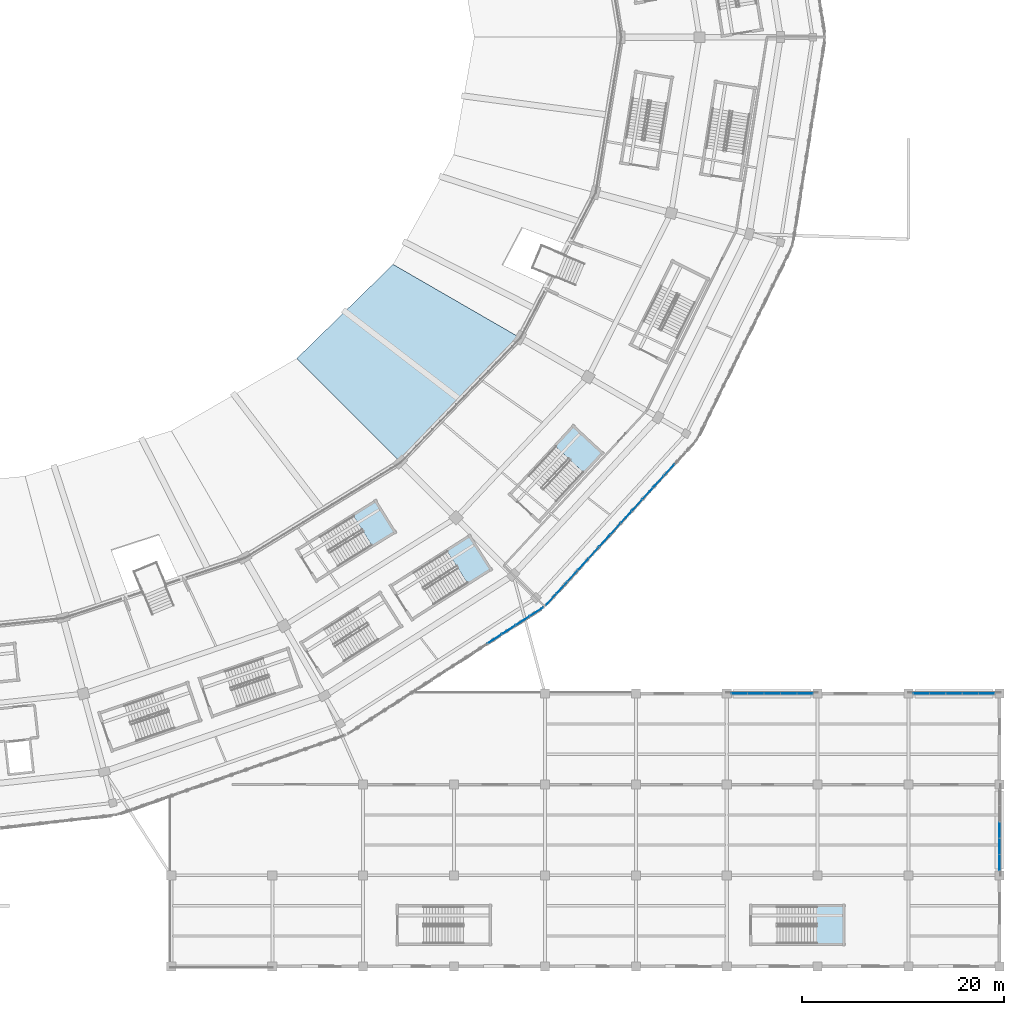
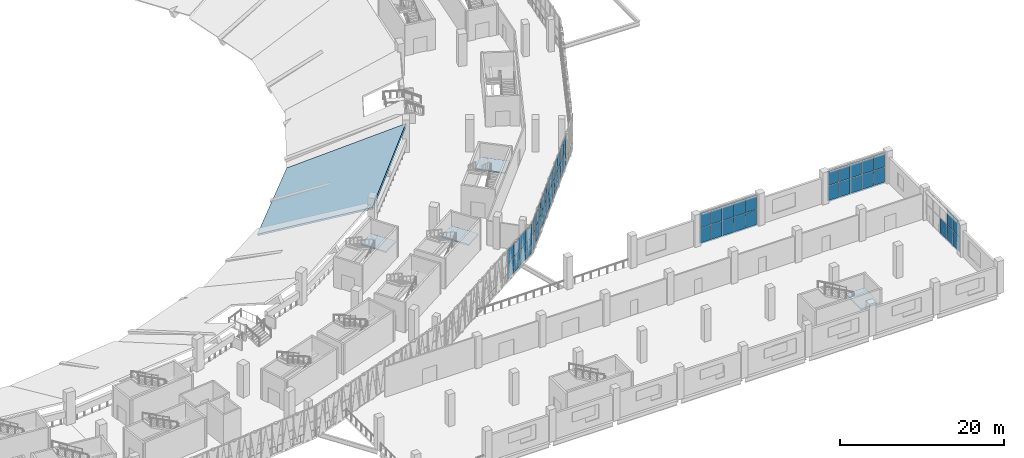
# One storey, part 82 of 183: 57 plates, 5 slabs, 9 elements without a shape of their own.
"""IFC4 building model written with IfcOpenShell, lengths in metres."""

from ifc_helpers import new_model, si_unit, direction, frame, origin, origin_2d, place, context, subcontext, project, spatial, polyline, rectangle, outline, extrude, material, layer, layer_set, type_object, element, aggregate, save


model = new_model("IFC4")

# Units and contexts
model_context = context("Model", 3, precision=1e-05, world=origin(), true_north=direction((0.0, 1.0)))
body_context = subcontext(model_context, "Body", "Model", "MODEL_VIEW")
ifc_project = project(units=[si_unit("LENGTHUNIT", "METRE"), si_unit("AREAUNIT", "SQUARE_METRE"), si_unit("VOLUMEUNIT", "CUBIC_METRE"), si_unit("PLANEANGLEUNIT", "RADIAN"), si_unit("MASSUNIT", "GRAM", prefix="KILO")], contexts=[model_context])

# Site, building, storey
site_placement = place(None, origin())
site = spatial("IfcSite", under=ifc_project, at=site_placement, CompositionType="ELEMENT")
building_placement = place(site_placement, origin())
building = spatial("IfcBuilding", under=site, at=building_placement, Name="Zevraka Park Crest Stadium", CompositionType="ELEMENT")
storey_placement = place(building_placement, frame((0.0, 0.0, 5.39990234375)))
storey = spatial("IfcBuildingStorey", under=building, at=storey_placement, Name="L01", CompositionType="ELEMENT", Elevation=5.39990234375)

# Curtain wall, plates
ifc_material_1 = material(Name="Anodised architectural aluminium and laminated safety glass", Category="aluminium")
curtain_wall_type_1 = type_object("IfcCurtainWallType", Name="CW03", PredefinedType="NOTDEFINED", material=ifc_material_1)
curtain_wall_1_placement = place(storey_placement, origin())
curtain_wall_1 = element("IfcCurtainWall", 1, at=curtain_wall_1_placement, inside=storey, type_object=curtain_wall_type_1, Name="Unitised Ring Curtain Wall CW03 L01-20", PredefinedType="NOTDEFINED")
ifc_material_2 = material(Name="Solar-control laminated double glazing", Category="glass")
ifc_layer_1 = layer(ifc_material_2, 0.028076171875)
ifc_layer_set_1 = layer_set([ifc_layer_1], Name="Solar-control laminated double glazing")
plate_type_1 = type_object("IfcPlateType", Name="CP03", PredefinedType="CURTAIN_PANEL", material=ifc_layer_set_1)
plate_1_placement = place(storey_placement, frame((174.023193359375, 32.431396484375, 0.070068359375), z_axis=(0.0, 0.0, 1.0), x_axis=(0.840010186018, 0.542570628938, 0.0)))
plate_1 = element("IfcPlate", 2, at=plate_1_placement, type_object=plate_type_1, Name="CW03 panel 11.1", PredefinedType="CURTAIN_PANEL", context=body_context, shape_type="SweptSolid", body=[
    extrude(rectangle(XDim=1.57958984375, YDim=0.028076171875, at=origin_2d()), origin(), (0.0, 0.0, 1.0), 2.294921875),
])
plate_2_placement = place(storey_placement, frame((174.023193359375, 32.431396484375, 2.43505859375), z_axis=(0.0, 0.0, 1.0), x_axis=(0.840010186018, 0.542570628938, 0.0)))
plate_2 = element("IfcPlate", 3, at=plate_2_placement, type_object=plate_type_1, Name="CW03 panel 11.2", PredefinedType="CURTAIN_PANEL", context=body_context, shape_type="SweptSolid", body=[
    extrude(rectangle(XDim=1.57958984375, YDim=0.028076171875, at=origin_2d()), origin(), (0.0, 0.0, 1.0), 2.014892578125),
])
plate_3_placement = place(storey_placement, frame((175.408935546875, 33.326416015625, 0.070068359375), z_axis=(0.0, 0.0, 1.0), x_axis=(0.840010186018, 0.542570628938, 0.0)))
plate_3 = element("IfcPlate", 4, at=plate_3_placement, type_object=plate_type_1, Name="CW03 panel 12.1", PredefinedType="CURTAIN_PANEL", context=body_context, shape_type="SweptSolid", body=[
    extrude(rectangle(XDim=1.57958984375, YDim=0.028076171875, at=origin_2d()), origin(), (0.0, 0.0, 1.0), 2.294921875),
])
plate_4_placement = place(storey_placement, frame((175.408935546875, 33.326416015625, 2.43505859375), z_axis=(0.0, 0.0, 1.0), x_axis=(0.840010186018, 0.542570628938, 0.0)))
plate_4 = element("IfcPlate", 5, at=plate_4_placement, type_object=plate_type_1, Name="CW03 panel 12.2", PredefinedType="CURTAIN_PANEL", context=body_context, shape_type="SweptSolid", body=[
    extrude(rectangle(XDim=1.57958984375, YDim=0.028076171875, at=origin_2d()), origin(), (0.0, 0.0, 1.0), 2.014892578125),
])
plate_5_placement = place(storey_placement, frame((176.79443359375, 34.221435546875, 0.070068359375), z_axis=(0.0, 0.0, 1.0), x_axis=(0.840010186018, 0.542570628938, 0.0)))
plate_5 = element("IfcPlate", 6, at=plate_5_placement, type_object=plate_type_1, Name="CW03 panel 13.1", PredefinedType="CURTAIN_PANEL", context=body_context, shape_type="SweptSolid", body=[
    extrude(rectangle(XDim=1.57958984375, YDim=0.028076171875, at=origin_2d()), origin(), (0.0, 0.0, 1.0), 2.294921875),
])
plate_6_placement = place(storey_placement, frame((176.79443359375, 34.221435546875, 2.43505859375), z_axis=(0.0, 0.0, 1.0), x_axis=(0.840010186018, 0.542570628938, 0.0)))
plate_6 = element("IfcPlate", 7, at=plate_6_placement, type_object=plate_type_1, Name="CW03 panel 13.2", PredefinedType="CURTAIN_PANEL", context=body_context, shape_type="SweptSolid", body=[
    extrude(rectangle(XDim=1.57958984375, YDim=0.028076171875, at=origin_2d()), origin(), (0.0, 0.0, 1.0), 2.014892578125),
])
plate_7_placement = place(storey_placement, frame((178.16552734375, 35.10693359375, 0.070068359375), z_axis=(0.0, 0.0, 1.0), x_axis=(0.840010186018, 0.542570628938, 0.0)))
plate_7 = element("IfcPlate", 8, at=plate_7_placement, type_object=plate_type_1, Name="CW03 panel 14.1", PredefinedType="CURTAIN_PANEL", context=body_context, shape_type="SweptSolid", body=[
    extrude(rectangle(XDim=1.54443359375, YDim=0.028076171875, at=origin_2d()), origin(), (0.0, 0.0, 1.0), 2.294921875),
])
plate_8_placement = place(storey_placement, frame((178.16552734375, 35.10693359375, 2.43505859375), z_axis=(0.0, 0.0, 1.0), x_axis=(0.840010186018, 0.542570628938, 0.0)))
plate_8 = element("IfcPlate", 9, at=plate_8_placement, type_object=plate_type_1, Name="CW03 panel 14.2", PredefinedType="CURTAIN_PANEL", context=body_context, shape_type="SweptSolid", body=[
    extrude(rectangle(XDim=1.54443359375, YDim=0.028076171875, at=origin_2d()), origin(), (0.0, 0.0, 1.0), 2.014892578125),
])
aggregate(curtain_wall_1, [plate_1, plate_2, plate_3, plate_4, plate_5, plate_6, plate_7, plate_8])

curtain_wall_2_placement = place(storey_placement, origin())
curtain_wall_2 = element("IfcCurtainWall", 10, at=curtain_wall_2_placement, inside=storey, type_object=curtain_wall_type_1, Name="Unitised Ring Curtain Wall CW03 L01-21", PredefinedType="NOTDEFINED")
plate_9_placement = place(storey_placement, frame((179.612060546875, 36.32568359375, 0.070068359375), z_axis=(0.0, 0.0, 1.0), x_axis=(0.673679672672, 0.739023476371, 0.0)))
plate_9 = element("IfcPlate", 11, at=plate_9_placement, type_object=plate_type_1, Name="CW03 panel 1.1", PredefinedType="CURTAIN_PANEL", context=body_context, shape_type="SweptSolid", body=[
    extrude(rectangle(XDim=1.472412109375, YDim=0.028076171875, at=origin_2d()), origin(), (0.0, 0.0, 1.0), 2.294921875),
])
plate_10_placement = place(storey_placement, frame((179.612060546875, 36.32568359375, 2.43505859375), z_axis=(0.0, 0.0, 1.0), x_axis=(0.673679672672, 0.739023476371, 0.0)))
plate_10 = element("IfcPlate", 12, at=plate_10_placement, type_object=plate_type_1, Name="CW03 panel 1.2", PredefinedType="CURTAIN_PANEL", context=body_context, shape_type="SweptSolid", body=[
    extrude(rectangle(XDim=1.472412109375, YDim=0.028076171875, at=origin_2d()), origin(), (0.0, 0.0, 1.0), 2.014892578125),
])
plate_11_placement = place(storey_placement, frame((180.6630859375, 37.478515625, 0.070068359375), z_axis=(0.0, 0.0, 1.0), x_axis=(0.673679672672, 0.739023476371, 0.0)))
plate_11 = element("IfcPlate", 13, at=plate_11_placement, type_object=plate_type_1, Name="CW03 panel 2.1", PredefinedType="CURTAIN_PANEL", context=body_context, shape_type="SweptSolid", body=[
    extrude(rectangle(XDim=1.50732421875, YDim=0.028076171875, at=origin_2d()), origin(), (0.0, 0.0, 1.0), 2.294921875),
])
plate_12_placement = place(storey_placement, frame((180.6630859375, 37.478515625, 2.43505859375), z_axis=(0.0, 0.0, 1.0), x_axis=(0.673679672672, 0.739023476371, 0.0)))
plate_12 = element("IfcPlate", 14, at=plate_12_placement, type_object=plate_type_1, Name="CW03 panel 2.2", PredefinedType="CURTAIN_PANEL", context=body_context, shape_type="SweptSolid", body=[
    extrude(rectangle(XDim=1.50732421875, YDim=0.028076171875, at=origin_2d()), origin(), (0.0, 0.0, 1.0), 2.014892578125),
])
plate_13_placement = place(storey_placement, frame((181.7255859375, 38.644287109375, 0.070068359375), z_axis=(0.0, 0.0, 1.0), x_axis=(0.673679672672, 0.739023476371, 0.0)))
plate_13 = element("IfcPlate", 15, at=plate_13_placement, type_object=plate_type_1, Name="CW03 panel 3.1", PredefinedType="CURTAIN_PANEL", context=body_context, shape_type="SweptSolid", body=[
    extrude(rectangle(XDim=1.50732421875, YDim=0.028076171875, at=origin_2d()), origin(), (0.0, 0.0, 1.0), 2.294921875),
])
plate_14_placement = place(storey_placement, frame((181.7255859375, 38.644287109375, 2.43505859375), z_axis=(0.0, 0.0, 1.0), x_axis=(0.673679672672, 0.739023476371, 0.0)))
plate_14 = element("IfcPlate", 16, at=plate_14_placement, type_object=plate_type_1, Name="CW03 panel 3.2", PredefinedType="CURTAIN_PANEL", context=body_context, shape_type="SweptSolid", body=[
    extrude(rectangle(XDim=1.50732421875, YDim=0.028076171875, at=origin_2d()), origin(), (0.0, 0.0, 1.0), 2.014892578125),
])
plate_15_placement = place(storey_placement, frame((182.788330078125, 39.81005859375, 0.070068359375), z_axis=(0.0, 0.0, 1.0), x_axis=(0.673679672672, 0.739023476371, 0.0)))
plate_15 = element("IfcPlate", 17, at=plate_15_placement, type_object=plate_type_1, Name="CW03 panel 4.1", PredefinedType="CURTAIN_PANEL", context=body_context, shape_type="SweptSolid", body=[
    extrude(rectangle(XDim=1.50732421875, YDim=0.028076171875, at=origin_2d()), origin(), (0.0, 0.0, 1.0), 2.294921875),
])
plate_16_placement = place(storey_placement, frame((182.788330078125, 39.81005859375, 2.43505859375), z_axis=(0.0, 0.0, 1.0), x_axis=(0.673679672672, 0.739023476371, 0.0)))
plate_16 = element("IfcPlate", 18, at=plate_16_placement, type_object=plate_type_1, Name="CW03 panel 4.2", PredefinedType="CURTAIN_PANEL", context=body_context, shape_type="SweptSolid", body=[
    extrude(rectangle(XDim=1.50732421875, YDim=0.028076171875, at=origin_2d()), origin(), (0.0, 0.0, 1.0), 2.014892578125),
])
plate_17_placement = place(storey_placement, frame((183.850830078125, 40.975830078125, 0.070068359375), z_axis=(0.0, 0.0, 1.0), x_axis=(0.673679672672, 0.739023476371, 0.0)))
plate_17 = element("IfcPlate", 19, at=plate_17_placement, type_object=plate_type_1, Name="CW03 panel 5.1", PredefinedType="CURTAIN_PANEL", context=body_context, shape_type="SweptSolid", body=[
    extrude(rectangle(XDim=1.50732421875, YDim=0.028076171875, at=origin_2d()), origin(), (0.0, 0.0, 1.0), 2.294921875),
])
plate_18_placement = place(storey_placement, frame((183.850830078125, 40.975830078125, 2.43505859375), z_axis=(0.0, 0.0, 1.0), x_axis=(0.673679672672, 0.739023476371, 0.0)))
plate_18 = element("IfcPlate", 20, at=plate_18_placement, type_object=plate_type_1, Name="CW03 panel 5.2", PredefinedType="CURTAIN_PANEL", context=body_context, shape_type="SweptSolid", body=[
    extrude(rectangle(XDim=1.50732421875, YDim=0.028076171875, at=origin_2d()), origin(), (0.0, 0.0, 1.0), 2.014892578125),
])
plate_19_placement = place(storey_placement, frame((184.91357421875, 42.141357421875, 0.070068359375), z_axis=(0.0, 0.0, 1.0), x_axis=(0.673679672672, 0.739023476371, 0.0)))
plate_19 = element("IfcPlate", 21, at=plate_19_placement, type_object=plate_type_1, Name="CW03 panel 6.1", PredefinedType="CURTAIN_PANEL", context=body_context, shape_type="SweptSolid", body=[
    extrude(rectangle(XDim=1.50732421875, YDim=0.028076171875, at=origin_2d()), origin(), (0.0, 0.0, 1.0), 2.294921875),
])
plate_20_placement = place(storey_placement, frame((184.91357421875, 42.141357421875, 2.43505859375), z_axis=(0.0, 0.0, 1.0), x_axis=(0.673679672672, 0.739023476371, 0.0)))
plate_20 = element("IfcPlate", 22, at=plate_20_placement, type_object=plate_type_1, Name="CW03 panel 6.2", PredefinedType="CURTAIN_PANEL", context=body_context, shape_type="SweptSolid", body=[
    extrude(rectangle(XDim=1.50732421875, YDim=0.028076171875, at=origin_2d()), origin(), (0.0, 0.0, 1.0), 2.014892578125),
])
plate_21_placement = place(storey_placement, frame((185.97607421875, 43.30712890625, 0.070068359375), z_axis=(0.0, 0.0, 1.0), x_axis=(0.673679672672, 0.739023476371, 0.0)))
plate_21 = element("IfcPlate", 23, at=plate_21_placement, type_object=plate_type_1, Name="CW03 panel 7.1", PredefinedType="CURTAIN_PANEL", context=body_context, shape_type="SweptSolid", body=[
    extrude(rectangle(XDim=1.50732421875, YDim=0.028076171875, at=origin_2d()), origin(), (0.0, 0.0, 1.0), 2.294921875),
])
plate_22_placement = place(storey_placement, frame((185.97607421875, 43.30712890625, 2.43505859375), z_axis=(0.0, 0.0, 1.0), x_axis=(0.673679672672, 0.739023476371, 0.0)))
plate_22 = element("IfcPlate", 24, at=plate_22_placement, type_object=plate_type_1, Name="CW03 panel 7.2", PredefinedType="CURTAIN_PANEL", context=body_context, shape_type="SweptSolid", body=[
    extrude(rectangle(XDim=1.50732421875, YDim=0.028076171875, at=origin_2d()), origin(), (0.0, 0.0, 1.0), 2.014892578125),
])
plate_23_placement = place(storey_placement, frame((187.038818359375, 44.472900390625, 0.070068359375), z_axis=(0.0, 0.0, 1.0), x_axis=(0.673679672672, 0.739023476371, 0.0)))
plate_23 = element("IfcPlate", 25, at=plate_23_placement, type_object=plate_type_1, Name="CW03 panel 8.1", PredefinedType="CURTAIN_PANEL", context=body_context, shape_type="SweptSolid", body=[
    extrude(rectangle(XDim=1.50732421875, YDim=0.028076171875, at=origin_2d()), origin(), (0.0, 0.0, 1.0), 2.294921875),
])
plate_24_placement = place(storey_placement, frame((187.038818359375, 44.472900390625, 2.43505859375), z_axis=(0.0, 0.0, 1.0), x_axis=(0.673679672672, 0.739023476371, 0.0)))
plate_24 = element("IfcPlate", 26, at=plate_24_placement, type_object=plate_type_1, Name="CW03 panel 8.2", PredefinedType="CURTAIN_PANEL", context=body_context, shape_type="SweptSolid", body=[
    extrude(rectangle(XDim=1.50732421875, YDim=0.028076171875, at=origin_2d()), origin(), (0.0, 0.0, 1.0), 2.014892578125),
])
plate_25_placement = place(storey_placement, frame((188.1015625, 45.638671875, 0.070068359375), z_axis=(0.0, 0.0, 1.0), x_axis=(0.673679672672, 0.739023476371, 0.0)))
plate_25 = element("IfcPlate", 27, at=plate_25_placement, type_object=plate_type_1, Name="CW03 panel 9.1", PredefinedType="CURTAIN_PANEL", context=body_context, shape_type="SweptSolid", body=[
    extrude(rectangle(XDim=1.50732421875, YDim=0.028076171875, at=origin_2d()), origin(), (0.0, 0.0, 1.0), 2.294921875),
])
plate_26_placement = place(storey_placement, frame((188.1015625, 45.638671875, 2.43505859375), z_axis=(0.0, 0.0, 1.0), x_axis=(0.673679672672, 0.739023476371, 0.0)))
plate_26 = element("IfcPlate", 28, at=plate_26_placement, type_object=plate_type_1, Name="CW03 panel 9.2", PredefinedType="CURTAIN_PANEL", context=body_context, shape_type="SweptSolid", body=[
    extrude(rectangle(XDim=1.50732421875, YDim=0.028076171875, at=origin_2d()), origin(), (0.0, 0.0, 1.0), 2.014892578125),
])
plate_27_placement = place(storey_placement, frame((189.1640625, 46.80419921875, 0.070068359375), z_axis=(0.0, 0.0, 1.0), x_axis=(0.673679672672, 0.739023476371, 0.0)))
plate_27 = element("IfcPlate", 29, at=plate_27_placement, type_object=plate_type_1, Name="CW03 panel 10.1", PredefinedType="CURTAIN_PANEL", context=body_context, shape_type="SweptSolid", body=[
    extrude(rectangle(XDim=1.50732421875, YDim=0.028076171875, at=origin_2d()), origin(), (0.0, 0.0, 1.0), 2.294921875),
])
plate_28_placement = place(storey_placement, frame((189.1640625, 46.80419921875, 2.43505859375), z_axis=(0.0, 0.0, 1.0), x_axis=(0.673679672672, 0.739023476371, 0.0)))
plate_28 = element("IfcPlate", 30, at=plate_28_placement, type_object=plate_type_1, Name="CW03 panel 10.2", PredefinedType="CURTAIN_PANEL", context=body_context, shape_type="SweptSolid", body=[
    extrude(rectangle(XDim=1.50732421875, YDim=0.028076171875, at=origin_2d()), origin(), (0.0, 0.0, 1.0), 2.014892578125),
])
plate_29_placement = place(storey_placement, frame((190.226806640625, 47.969970703125, 0.070068359375), z_axis=(0.0, 0.0, 1.0), x_axis=(0.673679672672, 0.739023476371, 0.0)))
plate_29 = element("IfcPlate", 31, at=plate_29_placement, type_object=plate_type_1, Name="CW03 panel 11.1", PredefinedType="CURTAIN_PANEL", context=body_context, shape_type="SweptSolid", body=[
    extrude(rectangle(XDim=1.50732421875, YDim=0.028076171875, at=origin_2d()), origin(), (0.0, 0.0, 1.0), 2.294921875),
])
plate_30_placement = place(storey_placement, frame((190.226806640625, 47.969970703125, 2.43505859375), z_axis=(0.0, 0.0, 1.0), x_axis=(0.673679672672, 0.739023476371, 0.0)))
plate_30 = element("IfcPlate", 32, at=plate_30_placement, type_object=plate_type_1, Name="CW03 panel 11.2", PredefinedType="CURTAIN_PANEL", context=body_context, shape_type="SweptSolid", body=[
    extrude(rectangle(XDim=1.50732421875, YDim=0.028076171875, at=origin_2d()), origin(), (0.0, 0.0, 1.0), 2.014892578125),
])
plate_31_placement = place(storey_placement, frame((191.289306640625, 49.1357421875, 0.070068359375), z_axis=(0.0, 0.0, 1.0), x_axis=(0.673679672672, 0.739023476371, 0.0)))
plate_31 = element("IfcPlate", 33, at=plate_31_placement, type_object=plate_type_1, Name="CW03 panel 12.1", PredefinedType="CURTAIN_PANEL", context=body_context, shape_type="SweptSolid", body=[
    extrude(rectangle(XDim=1.50732421875, YDim=0.028076171875, at=origin_2d()), origin(), (0.0, 0.0, 1.0), 2.294921875),
])
plate_32_placement = place(storey_placement, frame((191.289306640625, 49.1357421875, 2.43505859375), z_axis=(0.0, 0.0, 1.0), x_axis=(0.673679672672, 0.739023476371, 0.0)))
plate_32 = element("IfcPlate", 34, at=plate_32_placement, type_object=plate_type_1, Name="CW03 panel 12.2", PredefinedType="CURTAIN_PANEL", context=body_context, shape_type="SweptSolid", body=[
    extrude(rectangle(XDim=1.50732421875, YDim=0.028076171875, at=origin_2d()), origin(), (0.0, 0.0, 1.0), 2.014892578125),
])
aggregate(curtain_wall_2, [plate_9, plate_10, plate_11, plate_12, plate_13, plate_14, plate_15, plate_16, plate_17, plate_18, plate_19, plate_20, plate_21, plate_22, plate_23, plate_24, plate_25, plate_26, plate_27, plate_28, plate_29, plate_30, plate_31, plate_32])

ifc_material_3 = material(Name="Anodised architectural aluminium and laminated safety glass", Category="aluminium")
curtain_wall_type_2 = type_object("IfcCurtainWallType", Name="CW28", PredefinedType="NOTDEFINED", material=ifc_material_3)
curtain_wall_3_placement = place(storey_placement, origin())
curtain_wall_3 = element("IfcCurtainWall", 35, at=curtain_wall_3_placement, inside=storey, type_object=curtain_wall_type_2, Name="Wing Curtain Wall CW28 L01-SE-E-2", PredefinedType="NOTDEFINED")
ifc_material_4 = material(Name="Solar-control laminated double glazing", Category="glass")
ifc_layer_2 = layer(ifc_material_4, 0.035888671875)
ifc_layer_set_2 = layer_set([ifc_layer_2], Name="Solar-control laminated double glazing")
plate_type_2 = type_object("IfcPlateType", Name="CP28", PredefinedType="CURTAIN_PANEL", material=ifc_layer_set_2)
plate_33_placement = place(storey_placement, frame((224.0, 13.5, 0.06005859375), z_axis=(0.0, 0.0, 1.0), x_axis=(0.0, -1.0, 0.0)))
plate_33 = element("IfcPlate", 36, at=plate_33_placement, type_object=plate_type_2, Name="CW28 panel 3.1", PredefinedType="CURTAIN_PANEL", context=body_context, shape_type="SweptSolid", body=[
    extrude(rectangle(XDim=1.56396484375, YDim=0.035888671875, at=origin_2d()), origin(), (0.0, 0.0, 1.0), 2.2099609375),
])
plate_34_placement = place(storey_placement, frame((224.0, 11.8759765625, 0.06005859375), z_axis=(0.0, 0.0, 1.0), x_axis=(0.0, -1.0, 0.0)))
plate_34 = element("IfcPlate", 37, at=plate_34_placement, type_object=plate_type_2, Name="CW28 panel 4.1", PredefinedType="CURTAIN_PANEL", context=body_context, shape_type="SweptSolid", body=[
    extrude(rectangle(XDim=1.56396484375, YDim=0.035888671875, at=origin_2d()), origin(), (0.0, 0.0, 1.0), 2.2099609375),
])
plate_35_placement = place(storey_placement, frame((224.0, 11.8759765625, 2.330078125), z_axis=(0.0, 0.0, 1.0), x_axis=(0.0, -1.0, 0.0)))
plate_35 = element("IfcPlate", 38, at=plate_35_placement, type_object=plate_type_2, Name="CW28 panel 4.2", PredefinedType="CURTAIN_PANEL", context=body_context, shape_type="SweptSolid", body=[
    extrude(rectangle(XDim=1.56396484375, YDim=0.035888671875, at=origin_2d()), origin(), (0.0, 0.0, 1.0), 2.1298828125),
])
plate_36_placement = place(storey_placement, frame((224.0, 10.26708984375, 0.06005859375), z_axis=(0.0, 0.0, 1.0), x_axis=(0.0, -1.0, 0.0)))
plate_36 = element("IfcPlate", 39, at=plate_36_placement, type_object=plate_type_2, Name="CW28 panel 5.1", PredefinedType="CURTAIN_PANEL", context=body_context, shape_type="SweptSolid", body=[
    extrude(rectangle(XDim=1.533935546875, YDim=0.035888671875, at=origin_2d()), origin(), (0.0, 0.0, 1.0), 2.2099609375),
])
plate_37_placement = place(storey_placement, frame((224.0, 10.26708984375, 2.330078125), z_axis=(0.0, 0.0, 1.0), x_axis=(0.0, -1.0, 0.0)))
plate_37 = element("IfcPlate", 40, at=plate_37_placement, type_object=plate_type_2, Name="CW28 panel 5.2", PredefinedType="CURTAIN_PANEL", context=body_context, shape_type="SweptSolid", body=[
    extrude(rectangle(XDim=1.533935546875, YDim=0.035888671875, at=origin_2d()), origin(), (0.0, 0.0, 1.0), 2.1298828125),
])
aggregate(curtain_wall_3, [plate_33, plate_34, plate_35, plate_36, plate_37])

curtain_wall_4_placement = place(storey_placement, origin())
curtain_wall_4 = element("IfcCurtainWall", 41, at=curtain_wall_4_placement, inside=storey, type_object=curtain_wall_type_2, Name="Wing Curtain Wall CW28 L01-SE-N-2", PredefinedType="NOTDEFINED")
plate_38_placement = place(storey_placement, frame((198.26708984375, 27.0, 0.06005859375), z_axis=(0.0, 0.0, 1.0), x_axis=(1.0, 0.0, 0.0)))
plate_38 = element("IfcPlate", 42, at=plate_38_placement, type_object=plate_type_2, Name="CW28 panel 1.1", PredefinedType="CURTAIN_PANEL", context=body_context, shape_type="SweptSolid", body=[
    extrude(rectangle(XDim=1.533935546875, YDim=0.035888671875, at=origin_2d()), origin(), (0.0, 0.0, 1.0), 2.2099609375),
])
plate_39_placement = place(storey_placement, frame((198.26708984375, 27.0, 2.330078125), z_axis=(0.0, 0.0, 1.0), x_axis=(1.0, 0.0, 0.0)))
plate_39 = element("IfcPlate", 43, at=plate_39_placement, type_object=plate_type_2, Name="CW28 panel 1.2", PredefinedType="CURTAIN_PANEL", context=body_context, shape_type="SweptSolid", body=[
    extrude(rectangle(XDim=1.533935546875, YDim=0.035888671875, at=origin_2d()), origin(), (0.0, 0.0, 1.0), 2.1298828125),
])
plate_40_placement = place(storey_placement, frame((199.8759765625, 27.0, 0.06005859375), z_axis=(0.0, 0.0, 1.0), x_axis=(1.0, 0.0, 0.0)))
plate_40 = element("IfcPlate", 44, at=plate_40_placement, type_object=plate_type_2, Name="CW28 panel 2.1", PredefinedType="CURTAIN_PANEL", context=body_context, shape_type="SweptSolid", body=[
    extrude(rectangle(XDim=1.56396484375, YDim=0.035888671875, at=origin_2d()), origin(), (0.0, 0.0, 1.0), 2.2099609375),
])
plate_41_placement = place(storey_placement, frame((199.8759765625, 27.0, 2.330078125), z_axis=(0.0, 0.0, 1.0), x_axis=(1.0, 0.0, 0.0)))
plate_41 = element("IfcPlate", 45, at=plate_41_placement, type_object=plate_type_2, Name="CW28 panel 2.2", PredefinedType="CURTAIN_PANEL", context=body_context, shape_type="SweptSolid", body=[
    extrude(rectangle(XDim=1.56396484375, YDim=0.035888671875, at=origin_2d()), origin(), (0.0, 0.0, 1.0), 2.1298828125),
])
plate_42_placement = place(storey_placement, frame((201.5, 27.0, 0.06005859375), z_axis=(0.0, 0.0, 1.0), x_axis=(1.0, 0.0, 0.0)))
plate_42 = element("IfcPlate", 46, at=plate_42_placement, type_object=plate_type_2, Name="CW28 panel 3.1", PredefinedType="CURTAIN_PANEL", context=body_context, shape_type="SweptSolid", body=[
    extrude(rectangle(XDim=1.56396484375, YDim=0.035888671875, at=origin_2d()), origin(), (0.0, 0.0, 1.0), 2.2099609375),
])
plate_43_placement = place(storey_placement, frame((201.5, 27.0, 2.330078125), z_axis=(0.0, 0.0, 1.0), x_axis=(1.0, 0.0, 0.0)))
plate_43 = element("IfcPlate", 47, at=plate_43_placement, type_object=plate_type_2, Name="CW28 panel 3.2", PredefinedType="CURTAIN_PANEL", context=body_context, shape_type="SweptSolid", body=[
    extrude(rectangle(XDim=1.56396484375, YDim=0.035888671875, at=origin_2d()), origin(), (0.0, 0.0, 1.0), 2.1298828125),
])
plate_44_placement = place(storey_placement, frame((203.1240234375, 27.0, 0.06005859375), z_axis=(0.0, 0.0, 1.0), x_axis=(1.0, 0.0, 0.0)))
plate_44 = element("IfcPlate", 48, at=plate_44_placement, type_object=plate_type_2, Name="CW28 panel 4.1", PredefinedType="CURTAIN_PANEL", context=body_context, shape_type="SweptSolid", body=[
    extrude(rectangle(XDim=1.56396484375, YDim=0.035888671875, at=origin_2d()), origin(), (0.0, 0.0, 1.0), 2.2099609375),
])
plate_45_placement = place(storey_placement, frame((203.1240234375, 27.0, 2.330078125), z_axis=(0.0, 0.0, 1.0), x_axis=(1.0, 0.0, 0.0)))
plate_45 = element("IfcPlate", 49, at=plate_45_placement, type_object=plate_type_2, Name="CW28 panel 4.2", PredefinedType="CURTAIN_PANEL", context=body_context, shape_type="SweptSolid", body=[
    extrude(rectangle(XDim=1.56396484375, YDim=0.035888671875, at=origin_2d()), origin(), (0.0, 0.0, 1.0), 2.1298828125),
])
plate_46_placement = place(storey_placement, frame((204.73291015625, 27.0, 0.06005859375), z_axis=(0.0, 0.0, 1.0), x_axis=(1.0, 0.0, 0.0)))
plate_46 = element("IfcPlate", 50, at=plate_46_placement, type_object=plate_type_2, Name="CW28 panel 5.1", PredefinedType="CURTAIN_PANEL", context=body_context, shape_type="SweptSolid", body=[
    extrude(rectangle(XDim=1.533935546875, YDim=0.035888671875, at=origin_2d()), origin(), (0.0, 0.0, 1.0), 2.2099609375),
])
plate_47_placement = place(storey_placement, frame((204.73291015625, 27.0, 2.330078125), z_axis=(0.0, 0.0, 1.0), x_axis=(1.0, 0.0, 0.0)))
plate_47 = element("IfcPlate", 51, at=plate_47_placement, type_object=plate_type_2, Name="CW28 panel 5.2", PredefinedType="CURTAIN_PANEL", context=body_context, shape_type="SweptSolid", body=[
    extrude(rectangle(XDim=1.533935546875, YDim=0.035888671875, at=origin_2d()), origin(), (0.0, 0.0, 1.0), 2.1298828125),
])
aggregate(curtain_wall_4, [plate_38, plate_39, plate_40, plate_41, plate_42, plate_43, plate_44, plate_45, plate_46, plate_47])

ifc_material_5 = material(Name="Anodised architectural aluminium and laminated safety glass", Category="aluminium")
curtain_wall_type_3 = type_object("IfcCurtainWallType", Name="CW30", PredefinedType="NOTDEFINED", material=ifc_material_5)
curtain_wall_5_placement = place(storey_placement, origin())
curtain_wall_5 = element("IfcCurtainWall", 52, at=curtain_wall_5_placement, inside=storey, type_object=curtain_wall_type_3, Name="Wing Curtain Wall CW30 L01-SE-N-4", PredefinedType="NOTDEFINED")
ifc_material_6 = material(Name="Solar-control laminated double glazing", Category="glass")
ifc_layer_3 = layer(ifc_material_6, 0.035888671875)
ifc_layer_set_3 = layer_set([ifc_layer_3], Name="Solar-control laminated double glazing")
plate_type_3 = type_object("IfcPlateType", Name="CP30", PredefinedType="CURTAIN_PANEL", material=ifc_layer_set_3)
plate_48_placement = place(storey_placement, frame((216.26953125, 27.0, 0.06982421875), z_axis=(0.0, 0.0, 1.0), x_axis=(1.0, 0.0, 0.0)))
plate_48 = element("IfcPlate", 53, at=plate_48_placement, type_object=plate_type_3, Name="CW30 panel 1.1", PredefinedType="CURTAIN_PANEL", context=body_context, shape_type="SweptSolid", body=[
    extrude(rectangle(XDim=1.51904296875, YDim=0.035888671875, at=origin_2d()), origin(), (0.0, 0.0, 1.0), 2.195068359375),
])
plate_49_placement = place(storey_placement, frame((216.26953125, 27.0, 2.3349609375), z_axis=(0.0, 0.0, 1.0), x_axis=(1.0, 0.0, 0.0)))
plate_49 = element("IfcPlate", 54, at=plate_49_placement, type_object=plate_type_3, Name="CW30 panel 1.2", PredefinedType="CURTAIN_PANEL", context=body_context, shape_type="SweptSolid", body=[
    extrude(rectangle(XDim=1.51904296875, YDim=0.035888671875, at=origin_2d()), origin(), (0.0, 0.0, 1.0), 2.114990234375),
])
plate_50_placement = place(storey_placement, frame((217.8759765625, 27.0, 0.06982421875), z_axis=(0.0, 0.0, 1.0), x_axis=(1.0, 0.0, 0.0)))
plate_50 = element("IfcPlate", 55, at=plate_50_placement, type_object=plate_type_3, Name="CW30 panel 2.1", PredefinedType="CURTAIN_PANEL", context=body_context, shape_type="SweptSolid", body=[
    extrude(rectangle(XDim=1.553955078125, YDim=0.035888671875, at=origin_2d()), origin(), (0.0, 0.0, 1.0), 2.195068359375),
])
plate_51_placement = place(storey_placement, frame((217.8759765625, 27.0, 2.3349609375), z_axis=(0.0, 0.0, 1.0), x_axis=(1.0, 0.0, 0.0)))
plate_51 = element("IfcPlate", 56, at=plate_51_placement, type_object=plate_type_3, Name="CW30 panel 2.2", PredefinedType="CURTAIN_PANEL", context=body_context, shape_type="SweptSolid", body=[
    extrude(rectangle(XDim=1.553955078125, YDim=0.035888671875, at=origin_2d()), origin(), (0.0, 0.0, 1.0), 2.114990234375),
])
plate_52_placement = place(storey_placement, frame((219.5, 27.0, 0.06982421875), z_axis=(0.0, 0.0, 1.0), x_axis=(1.0, 0.0, 0.0)))
plate_52 = element("IfcPlate", 57, at=plate_52_placement, type_object=plate_type_3, Name="CW30 panel 3.1", PredefinedType="CURTAIN_PANEL", context=body_context, shape_type="SweptSolid", body=[
    extrude(rectangle(XDim=1.553955078125, YDim=0.035888671875, at=origin_2d()), origin(), (0.0, 0.0, 1.0), 2.195068359375),
])
plate_53_placement = place(storey_placement, frame((219.5, 27.0, 2.3349609375), z_axis=(0.0, 0.0, 1.0), x_axis=(1.0, 0.0, 0.0)))
plate_53 = element("IfcPlate", 58, at=plate_53_placement, type_object=plate_type_3, Name="CW30 panel 3.2", PredefinedType="CURTAIN_PANEL", context=body_context, shape_type="SweptSolid", body=[
    extrude(rectangle(XDim=1.553955078125, YDim=0.035888671875, at=origin_2d()), origin(), (0.0, 0.0, 1.0), 2.114990234375),
])
plate_54_placement = place(storey_placement, frame((221.1240234375, 27.0, 0.06982421875), z_axis=(0.0, 0.0, 1.0), x_axis=(1.0, 0.0, 0.0)))
plate_54 = element("IfcPlate", 59, at=plate_54_placement, type_object=plate_type_3, Name="CW30 panel 4.1", PredefinedType="CURTAIN_PANEL", context=body_context, shape_type="SweptSolid", body=[
    extrude(rectangle(XDim=1.553955078125, YDim=0.035888671875, at=origin_2d()), origin(), (0.0, 0.0, 1.0), 2.195068359375),
])
plate_55_placement = place(storey_placement, frame((221.1240234375, 27.0, 2.3349609375), z_axis=(0.0, 0.0, 1.0), x_axis=(1.0, 0.0, 0.0)))
plate_55 = element("IfcPlate", 60, at=plate_55_placement, type_object=plate_type_3, Name="CW30 panel 4.2", PredefinedType="CURTAIN_PANEL", context=body_context, shape_type="SweptSolid", body=[
    extrude(rectangle(XDim=1.553955078125, YDim=0.035888671875, at=origin_2d()), origin(), (0.0, 0.0, 1.0), 2.114990234375),
])
plate_56_placement = place(storey_placement, frame((222.73046875, 27.0, 0.06982421875), z_axis=(0.0, 0.0, 1.0), x_axis=(1.0, 0.0, 0.0)))
plate_56 = element("IfcPlate", 61, at=plate_56_placement, type_object=plate_type_3, Name="CW30 panel 5.1", PredefinedType="CURTAIN_PANEL", context=body_context, shape_type="SweptSolid", body=[
    extrude(rectangle(XDim=1.51904296875, YDim=0.035888671875, at=origin_2d()), origin(), (0.0, 0.0, 1.0), 2.195068359375),
])
plate_57_placement = place(storey_placement, frame((222.73046875, 27.0, 2.3349609375), z_axis=(0.0, 0.0, 1.0), x_axis=(1.0, 0.0, 0.0)))
plate_57 = element("IfcPlate", 62, at=plate_57_placement, type_object=plate_type_3, Name="CW30 panel 5.2", PredefinedType="CURTAIN_PANEL", context=body_context, shape_type="SweptSolid", body=[
    extrude(rectangle(XDim=1.51904296875, YDim=0.035888671875, at=origin_2d()), origin(), (0.0, 0.0, 1.0), 2.114990234375),
])
aggregate(curtain_wall_5, [plate_48, plate_49, plate_50, plate_51, plate_52, plate_53, plate_54, plate_55, plate_56, plate_57])

# Stair, slab
ifc_material_7 = material(Name="Concrete C35/45", Category="concrete")
stair_type_1 = type_object("IfcStairType", Name="STA2", PredefinedType="HALF_TURN_STAIR", material=ifc_material_7)
stair_1_placement = place(storey_placement, origin())
stair_1 = element("IfcStair", 63, at=stair_1_placement, inside=storey, type_object=stair_type_1, Name="L01 Protected Concourse Exit Stair ST22", PredefinedType="HALF_TURN_STAIR")
ifc_material_8 = material(Name="Concrete C35/45", Category="concrete")
ifc_layer_4 = layer(ifc_material_8, 0.199951171875)
ifc_layer_set_4 = layer_set([ifc_layer_4], Name="Concrete C35/45")
slab_type_1 = type_object("IfcSlabType", Name="LS01", PredefinedType="LANDING", material=ifc_layer_set_4)
slab_1_placement = place(storey_placement, frame((0.0, 0.0, 2.2001953125)))
slab_1 = element("IfcSlab", 64, at=slab_1_placement, type_object=slab_type_1, Name="ST22 landing 1", PredefinedType="LANDING", context=body_context, shape_type="SweptSolid", body=[
    extrude(outline(polyline([(182.7978515625, 48.910400390625), (184.5732421875, 50.823486328125), (181.8173828125, 53.381103515625), (180.041748046875, 51.468017578125), (182.7978515625, 48.910400390625)])), origin(), (0.0, 0.0, 1.0), 0.199951171875),
])
aggregate(stair_1, [slab_1])

stair_2_placement = place(storey_placement, origin())
stair_2 = element("IfcStair", 65, at=stair_2_placement, inside=storey, type_object=stair_type_1, Name="L01 Protected Paired Concourse Exit Stair ST32", PredefinedType="HALF_TURN_STAIR")
slab_2_placement = place(storey_placement, frame((0.0, 0.0, 2.2001953125)))
slab_2 = element("IfcSlab", 66, at=slab_2_placement, type_object=slab_type_1, Name="ST32 landing 1", PredefinedType="LANDING", context=body_context, shape_type="SweptSolid", body=[
    extrude(outline(polyline([(171.324951171875, 37.93310546875), (173.52880859375, 39.331298828125), (171.514404296875, 42.506103515625), (169.310546875, 41.10791015625), (171.324951171875, 37.93310546875)])), origin(), (0.0, 0.0, 1.0), 0.199951171875),
])
aggregate(stair_2, [slab_2])

ifc_material_9 = material(Name="Concrete C35/45", Category="concrete")
stair_type_2 = type_object("IfcStairType", Name="STB2", PredefinedType="HALF_TURN_STAIR", material=ifc_material_9)
stair_3_placement = place(storey_placement, origin())
stair_3 = element("IfcStair", 67, at=stair_3_placement, inside=storey, type_object=stair_type_2, Name="L01 Protected Concourse Relief Stair ST43", PredefinedType="HALF_TURN_STAIR")
slab_3_placement = place(storey_placement, frame((0.0, 0.0, 2.2001953125)))
slab_3 = element("IfcSlab", 68, at=slab_3_placement, type_object=slab_type_1, Name="ST43 landing 1", PredefinedType="LANDING", context=body_context, shape_type="SweptSolid", body=[
    extrude(outline(polyline([(161.857421875, 41.67041015625), (164.03271484375, 43.02001953125), (162.208251953125, 45.9599609375), (160.033203125, 44.6103515625), (161.857421875, 41.67041015625)])), origin(), (0.0, 0.0, 1.0), 0.199951171875),
])
aggregate(stair_3, [slab_3])

ifc_material_10 = material(Name="Concrete C35/45", Category="concrete")
stair_type_3 = type_object("IfcStairType", Name="STC2", PredefinedType="HALF_TURN_STAIR", material=ifc_material_10)
stair_4_placement = place(storey_placement, origin())
stair_4 = element("IfcStair", 69, at=stair_4_placement, inside=storey, type_object=stair_type_3, Name="L01 Southeast Plant Wing East Stair ST54", PredefinedType="HALF_TURN_STAIR")
slab_4_placement = place(storey_placement, frame((0.0, 0.0, 2.2001953125)))
slab_4 = element("IfcSlab", 70, at=slab_4_placement, type_object=slab_type_1, Name="ST54 landing 1", PredefinedType="LANDING", context=body_context, shape_type="SweptSolid", body=[
    extrude(outline(polyline([(205.889892578125, 2.25), (208.5, 2.25), (208.5, 5.909912109375), (205.889892578125, 5.909912109375), (205.889892578125, 2.25)])), origin(), (0.0, 0.0, 1.0), 0.199951171875),
])
aggregate(stair_4, [slab_4])

# Slab
ifc_material_11 = material(Name="Concrete C35/45", Category="concrete")
ifc_layer_5 = layer(ifc_material_11, 0.25)
ifc_layer_set_5 = layer_set([ifc_layer_5], Name="Concrete C35/45")
slab_type_2 = type_object("IfcSlabType", Name="STL1", PredefinedType="USERDEFINED", material=ifc_layer_set_5)
slab_5_placement = place(storey_placement, frame((154.426025390625, 60.179931640625, -3.634033203125), z_axis=(-0.331007566991, 0.253992997839, 0.908802259924), x_axis=(0.7136412327, 0.697490139036, 0.064989975673)))
element("IfcSlab", 71, at=slab_5_placement, inside=storey, type_object=slab_type_2, Name="Lower Tier Raked Seating Slab 21", ObjectType="SEATING TIER", PredefinedType="USERDEFINED", context=body_context, shape_type="SweptSolid", body=[
    extrude(outline(polyline([(0.0, 0.0), (13.362296950487588, -1.3322676295501878e-15), (17.695702713727705, -15.330480986809986), (0.5945203471351611, -15.920105098212314), (0.0, 0.0)])), origin(), (0.0, 0.0, -1.0), 0.25),
])

save(model, "model.ifc")
